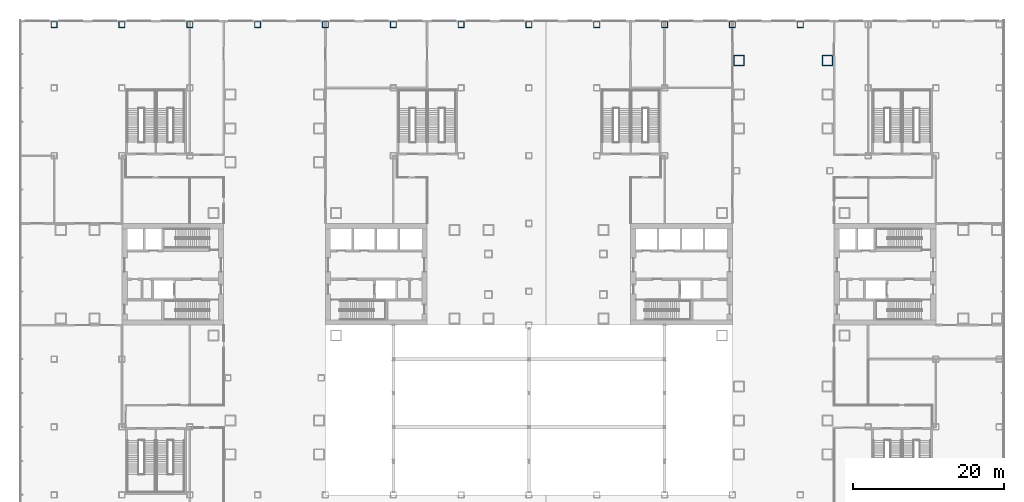
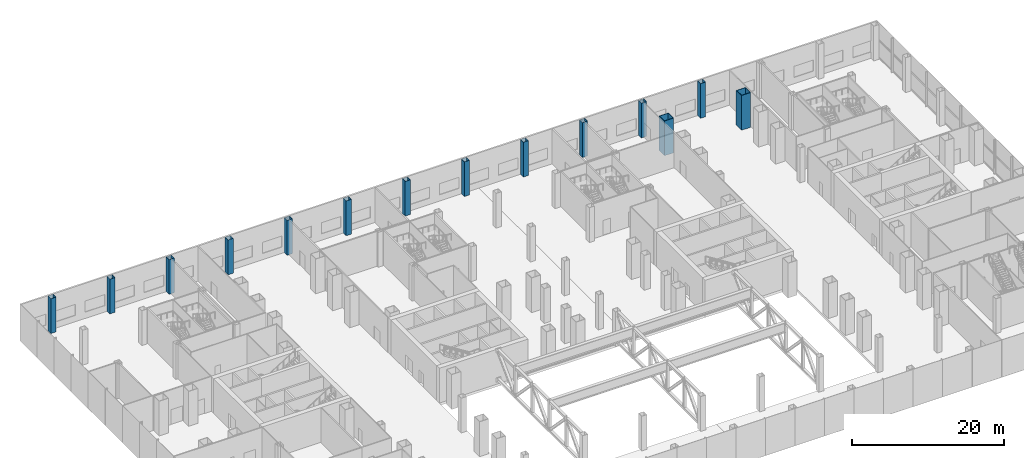
# One storey, part 3 of 33: 14 columns.
"""IFC4 building model written with IfcOpenShell, lengths in metres."""

from ifc_helpers import new_model, si_unit, direction, frame, origin, origin_2d, place, context, subcontext, project, spatial, hollow_rectangle, extrude, material, material_profile, profile_set, type_object, element, save


model = new_model("IFC4")

# Units and contexts
model_context = context("Model", 3, precision=1e-05, world=origin(), true_north=direction((0.0, 1.0)))
body_context = subcontext(model_context, "Body", "Model", "MODEL_VIEW")
ifc_project = project(units=[si_unit("LENGTHUNIT", "METRE"), si_unit("AREAUNIT", "SQUARE_METRE"), si_unit("VOLUMEUNIT", "CUBIC_METRE"), si_unit("PLANEANGLEUNIT", "RADIAN"), si_unit("MASSUNIT", "GRAM", prefix="KILO")], contexts=[model_context])

# Site, building, storey
site_placement = place(None, origin())
site = spatial("IfcSite", under=ifc_project, at=site_placement, CompositionType="ELEMENT")
building_placement = place(site_placement, origin())
building = spatial("IfcBuilding", under=site, at=building_placement, Name="Shamsa Quay Exchange Towers", CompositionType="ELEMENT")
storey_placement = place(building_placement, frame((0.0, 0.0, 6.5)))
storey = spatial("IfcBuildingStorey", under=building, at=storey_placement, Name="L01", CompositionType="ELEMENT", Elevation=6.5)

# Columns
ifc_material_1 = material(Name="Concrete-filled steel tube S355 / C80/95", Category="concrete")
ifc_material_profile_1 = material_profile(ifc_material_1, hollow_rectangle(XDim=1.39990234375, YDim=1.39990234375, WallThickness=0.06005859375, at=origin_2d()), Name="CFT 1400x1400x60")
ifc_profile_set_1 = profile_set([ifc_material_profile_1], Name="Concrete-filled steel tube S355 / C80/95")
column_type_1 = type_object("IfcColumnType", Name="Column CFT 1400x1400x60", PredefinedType="COLUMN", material=ifc_profile_set_1)
for number, where, name in (
    (1, (39.625, 28.375, 0.0), "Mega column T2-CM08"),
    (2, (27.875, 28.375, 0.0), "Mega column T2-CM12"),
):
    element("IfcColumn", number, at=place(storey_placement, frame(where)), inside=storey, type_object=column_type_1, Name=name, PredefinedType="COLUMN", context=body_context, shape_type="SweptSolid", body=[
        extrude(hollow_rectangle(XDim=1.39990234375, YDim=1.39990234375, WallThickness=0.06005859375, at=origin_2d()), origin(), (0.0, 0.0, 1.0), 5.60009765625),
    ])
ifc_material_2 = material(Name="Concrete-filled steel tube S355 / C60/75", Category="concrete")
ifc_material_profile_2 = material_profile(ifc_material_2, hollow_rectangle(XDim=0.800048828125, YDim=0.800048828125, WallThickness=0.030029296875, at=origin_2d()), Name="CFT 800x800x30")
ifc_profile_set_2 = profile_set([ifc_material_profile_2], Name="Concrete-filled steel tube S355 / C60/75")
column_type_2 = type_object("IfcColumnType", Name="Column CFT 800x800x30", PredefinedType="COLUMN", material=ifc_profile_set_2)
for number, where, name in (
    (3, (-63.0, 33.14990234375, 0.0), "Perimeter column PD-C-0630+0338"),
    (4, (-54.0, 33.14990234375, 0.0), "Perimeter column PD-C-0540+0338"),
    (5, (-45.0, 33.14990234375, 0.0), "Perimeter column PD-C-0450+0338"),
    (6, (-36.0, 33.14990234375, 0.0), "Perimeter column PD-C-0360+0338"),
    (7, (-27.0, 33.14990234375, 0.0), "Perimeter column PD-C-0270+0338"),
    (8, (-18.0, 33.14990234375, 0.0), "Perimeter column PD-C-0180+0338"),
    (9, (-9.0, 33.14990234375, 0.0), "Perimeter column PD-C-0090+0338"),
    (10, (0.0, 33.14990234375, 0.0), "Perimeter column PD-C+0000+0338"),
    (11, (9.0, 33.14990234375, 0.0), "Perimeter column PD-C+0090+0338"),
    (12, (18.0, 33.14990234375, 0.0), "Perimeter column PD-C+0180+0338"),
    (13, (27.0, 33.14990234375, 0.0), "Perimeter column PD-C+0270+0338"),
    (14, (36.0, 33.14990234375, 0.0), "Perimeter column PD-C+0360+0338"),
):
    element("IfcColumn", number, at=place(storey_placement, frame(where)), inside=storey, type_object=column_type_2, Name=name, PredefinedType="COLUMN", context=body_context, shape_type="SweptSolid", body=[
        extrude(hollow_rectangle(XDim=0.800048828125, YDim=0.800048828125, WallThickness=0.030029296875, at=origin_2d()), origin(), (0.0, 0.0, 1.0), 5.60009765625),
    ])

save(model, "model.ifc")
